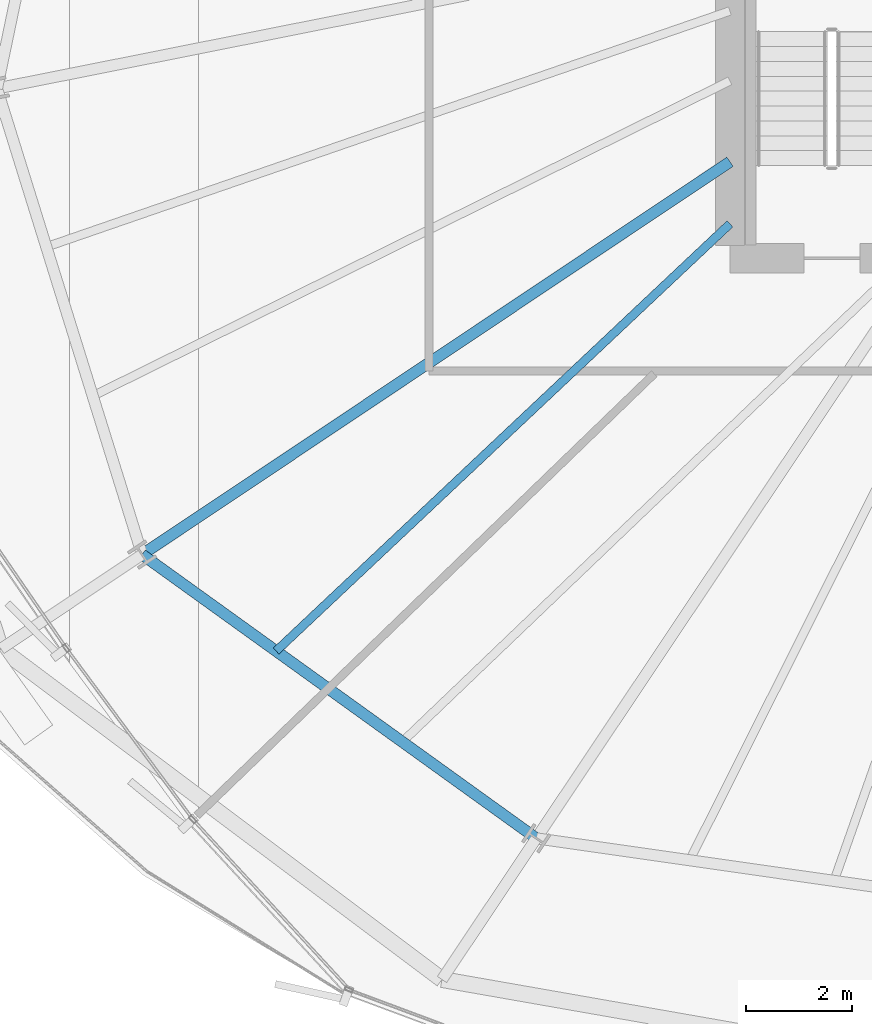
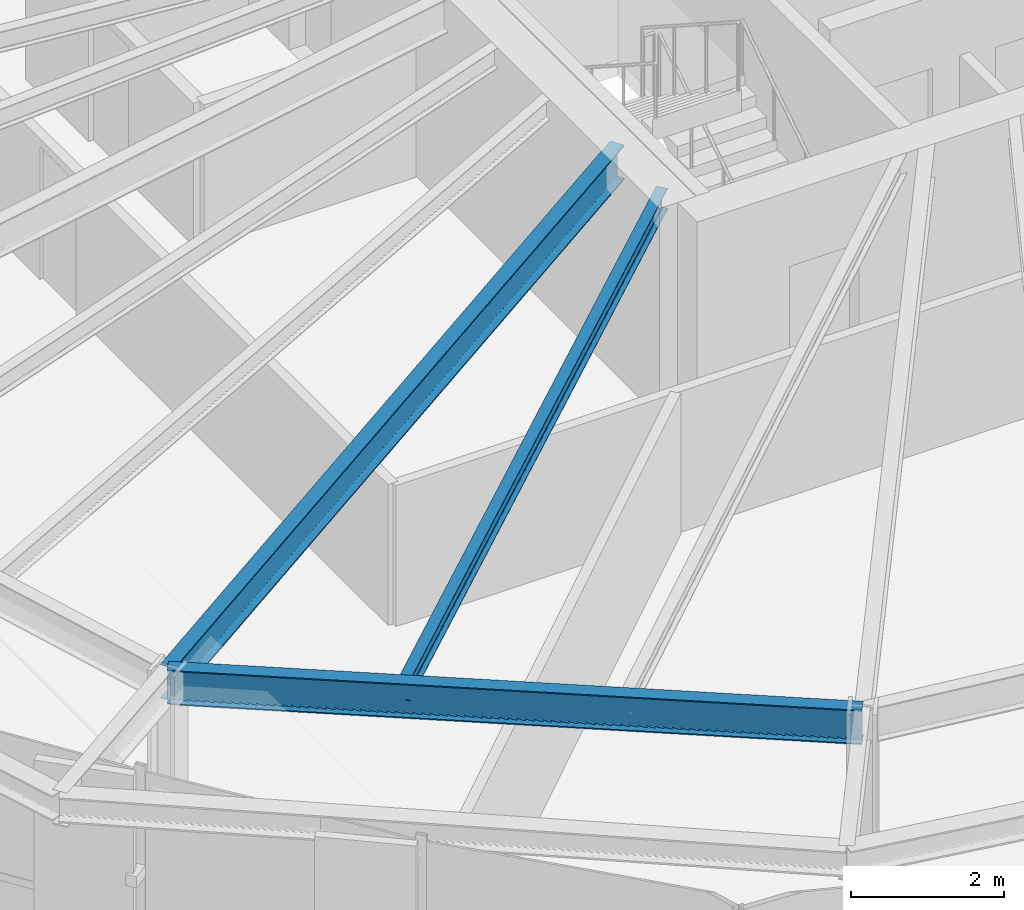
# One storey, part 4 of 33: 3 beams.
"""IFC4 building model written with IfcOpenShell, lengths in metres."""

from ifc_helpers import new_model, si_unit, direction, frame, origin, origin_2d, place, context, subcontext, project, spatial, i_section, extrude, source, transform, mapped, material, material_profile, profile_set, type_object, element, save


model = new_model("IFC4")

# Units and contexts
model_context = context("Model", 3, precision=1e-05, world=origin(), true_north=direction((0.0, 1.0)))
body_context = subcontext(model_context, "Body", "Model", "MODEL_VIEW")
ifc_project = project(units=[si_unit("LENGTHUNIT", "METRE"), si_unit("AREAUNIT", "SQUARE_METRE"), si_unit("VOLUMEUNIT", "CUBIC_METRE"), si_unit("PLANEANGLEUNIT", "RADIAN"), si_unit("MASSUNIT", "GRAM", prefix="KILO"), si_unit("THERMODYNAMICTEMPERATUREUNIT", "KELVIN")], contexts=[model_context])

# Site, building, storey
site_placement = place(None, origin())
site = spatial("IfcSite", under=ifc_project, at=site_placement, CompositionType="ELEMENT")
building_placement = place(site_placement, origin())
building = spatial("IfcBuilding", under=site, at=building_placement, Name="Kethvar Cultural Tower", CompositionType="ELEMENT")
storey_placement = place(building_placement, frame((0.0, 0.0, 110.800048828125)))
storey = spatial("IfcBuildingStorey", under=building, at=storey_placement, Name="L27", CompositionType="ELEMENT", Elevation=110.800048828125)

# Beams
ifc_material = material(Name="Steel S355J2", Category="steel")
ifc_material_profile_1 = material_profile(ifc_material, i_section(OverallWidth=0.2099609375, OverallDepth=0.550048828125, WebThickness=0.010986328125, FlangeThickness=0.01708984375, FilletRadius=0.02392578125, at=origin_2d()), Name="Steel S355J2 — IPE550")
ifc_profile_set_1 = profile_set([ifc_material_profile_1], Name="Steel S355J2 — IPE550")
beam_type_1 = type_object("IfcBeamType", Name="BM-IPE550", PredefinedType="BEAM", material=ifc_profile_set_1)
shared_shape_1 = source(origin(), body_context, "Body", "SweptSolid", [
    extrude(i_section(OverallWidth=0.2099609375, OverallDepth=0.550048828125, WebThickness=0.010986328125, FlangeThickness=0.01708984375, FilletRadius=0.02392578125, at=origin_2d()), origin(), (0.0, 0.0, 1.0), 13.324951171875),
])
beam_1_placement = place(storey_placement, frame((38.0, 21.919921875, 3.072998046875), z_axis=(-0.831474815475, -0.555562445843, 0.0), x_axis=(0.555562445843, -0.831474815475, 0.0)))
element("IfcBeam", 1, at=beam_1_placement, inside=storey, type_object=beam_type_1, Name="L27 Primary Radial Beam RB-10", PredefinedType="BEAM", context=body_context, shape_type="MappedRepresentation", body=[
    mapped(shared_shape_1, transform((0.0, 0.0, 0.0), scale=1.0)),
])
shared_shape_2 = source(origin(), body_context, "Body", "SweptSolid", [
    extrude(i_section(OverallWidth=0.2099609375, OverallDepth=0.550048828125, WebThickness=0.010986328125, FlangeThickness=0.01708984375, FilletRadius=0.02392578125, at=origin_2d()), origin(), (0.0, 0.0, 1.0), 9.155029296875),
])
beam_2_placement = place(storey_placement, frame((26.920654296875, 14.51708984375, 3.072998046875), z_axis=(0.811590987974, -0.584226042076, 0.0), x_axis=(0.584226042076, 0.811590987974, 0.0)))
element("IfcBeam", 2, at=beam_2_placement, inside=storey, type_object=beam_type_1, Name="L27 Column Ring Tie Beam CR-10", PredefinedType="BEAM", context=body_context, shape_type="MappedRepresentation", body=[
    mapped(shared_shape_2, transform((0.0, 0.0, 0.0), scale=1.0)),
])
ifc_material_profile_2 = material_profile(ifc_material, i_section(OverallWidth=0.159912109375, OverallDepth=0.330078125, WebThickness=0.007568359375, FlangeThickness=0.011474609375, FilletRadius=0.01806640625, at=origin_2d()), Name="Steel S355J2 — IPE330")
ifc_profile_set_2 = profile_set([ifc_material_profile_2], Name="Steel S355J2 — IPE330")
beam_type_2 = type_object("IfcBeamType", Name="BM-J330", PredefinedType="JOIST", material=ifc_profile_set_2)
shared_shape_3 = source(origin(), body_context, "Body", "SweptSolid", [
    extrude(i_section(OverallWidth=0.159912109375, OverallDepth=0.330078125, WebThickness=0.007568359375, FlangeThickness=0.011474609375, FilletRadius=0.01806640625, at=origin_2d()), origin(), (0.0, 0.0, 1.0), 11.74658203125),
])
beam_3_placement = place(storey_placement, frame((38.0, 20.75, 3.182861328125), z_axis=(-0.728129818661, -0.685439251266, 0.0), x_axis=(0.685439251266, -0.728129818661, 0.0)))
element("IfcBeam", 3, at=beam_3_placement, inside=storey, type_object=beam_type_2, Name="L27 Composite Floor Joist J-10A", PredefinedType="JOIST", context=body_context, shape_type="MappedRepresentation", body=[
    mapped(shared_shape_3, transform((0.0, 0.0, 0.0), scale=1.0)),
])

save(model, "model.ifc")
